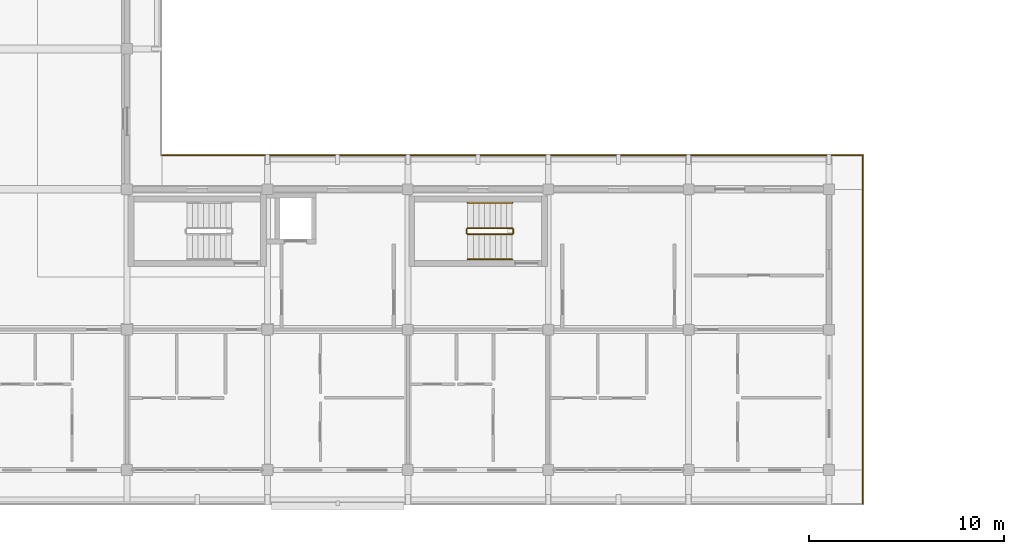
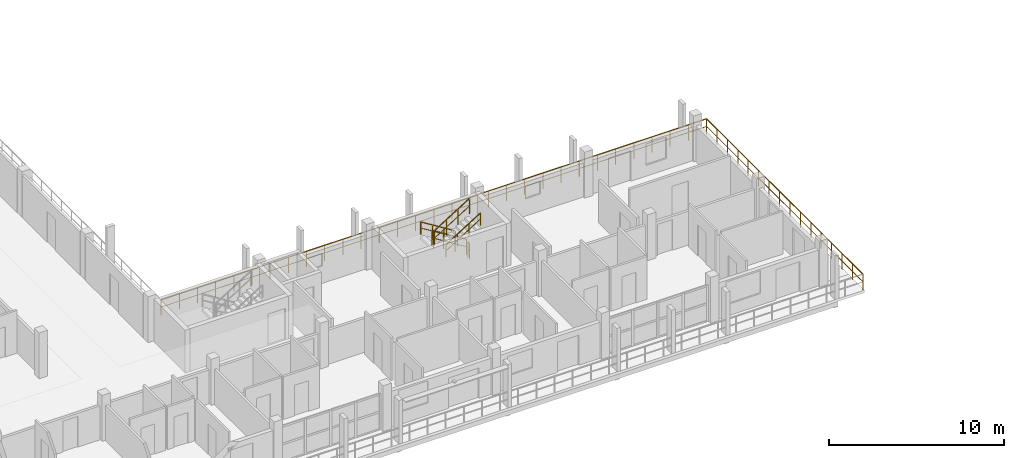
# One storey, part 61 of 73: 8 railings.
"""IFC4 building model written with IfcOpenShell, lengths in metres."""

from ifc_helpers import new_model, si_unit, direction, frame, origin, origin_2d, place, context, subcontext, project, spatial, rectangle, extrude, material, type_object, element, save


model = new_model("IFC4")

# Units and contexts
model_context = context("Model", 3, precision=1e-05, world=origin(), true_north=direction((0.0, 1.0)))
body_context = subcontext(model_context, "Body", "Model", "MODEL_VIEW")
ifc_project = project(units=[si_unit("LENGTHUNIT", "METRE"), si_unit("AREAUNIT", "SQUARE_METRE"), si_unit("VOLUMEUNIT", "CUBIC_METRE"), si_unit("PLANEANGLEUNIT", "RADIAN"), si_unit("MASSUNIT", "GRAM", prefix="KILO")], contexts=[model_context])

# Site, building, storey
site_placement = place(None, origin())
site = spatial("IfcSite", under=ifc_project, at=site_placement, CompositionType="ELEMENT")
building_placement = place(site_placement, origin())
building = spatial("IfcBuilding", under=site, at=building_placement, Name="Suanplinth Sawtooth Commons", CompositionType="ELEMENT")
storey_placement = place(building_placement, frame((0.0, 0.0, 21.89990234375)))
storey = spatial("IfcBuildingStorey", under=building, at=storey_placement, Name="L06", CompositionType="ELEMENT", Elevation=21.89990234375)

# Railings
ifc_material_1 = material(Name="Powder-coated galvanized steel", Category="steel")
railing_type_1 = type_object("IfcRailingType", Name="GR-01", PredefinedType="BALUSTRADE", material=ifc_material_1)
railing_1_placement = place(storey_placement, frame((16.139892578125, 16.139892578125, 0.0)))
element("IfcRailing", 1, at=railing_1_placement, inside=storey, type_object=railing_type_1, Name="L06 Block D Perimeter Balustrade 4", PredefinedType="BALUSTRADE", context=body_context, shape_type="SweptSolid", body=[
    extrude(rectangle(XDim=0.048095703125, YDim=0.048095703125, at=origin_2d()), frame((0.0, 0.0, 1.09619140625), z_axis=(1.0, 0.0, 0.0), x_axis=(0.0, 1.0, 0.0)), (0.0, 0.0, 1.0), 36.0),
    extrude(rectangle(XDim=0.03369140625, YDim=0.03369140625, at=origin_2d()), frame((0.0, 0.0, 0.56005859375), z_axis=(1.0, 0.0, 0.0), x_axis=(0.0, 1.0, 0.0)), (0.0, 0.0, 1.0), 36.0),
    extrude(rectangle(XDim=0.0419921875, YDim=0.0419921875, at=origin_2d()), origin(), (0.0, 0.0, 1.0), 1.072021484375),
    extrude(rectangle(XDim=0.0419921875, YDim=0.0419921875, at=origin_2d()), frame((1.199951171875, 0.0, 0.0)), (0.0, 0.0, 1.0), 1.072021484375),
    extrude(rectangle(XDim=0.0419921875, YDim=0.0419921875, at=origin_2d()), frame((2.39990234375, 0.0, 0.0)), (0.0, 0.0, 1.0), 1.072021484375),
    extrude(rectangle(XDim=0.0419921875, YDim=0.0419921875, at=origin_2d()), frame((3.60009765625, 0.0, 0.0)), (0.0, 0.0, 1.0), 1.072021484375),
    extrude(rectangle(XDim=0.0419921875, YDim=0.0419921875, at=origin_2d()), frame((4.800048828125, 0.0, 0.0)), (0.0, 0.0, 1.0), 1.072021484375),
    extrude(rectangle(XDim=0.0419921875, YDim=0.0419921875, at=origin_2d()), frame((6.0, 0.0, 0.0)), (0.0, 0.0, 1.0), 1.072021484375),
    extrude(rectangle(XDim=0.0419921875, YDim=0.0419921875, at=origin_2d()), frame((7.199951171875, 0.0, 0.0)), (0.0, 0.0, 1.0), 1.072021484375),
    extrude(rectangle(XDim=0.0419921875, YDim=0.0419921875, at=origin_2d()), frame((8.39990234375, 0.0, 0.0)), (0.0, 0.0, 1.0), 1.072021484375),
    extrude(rectangle(XDim=0.0419921875, YDim=0.0419921875, at=origin_2d()), frame((9.60009765625, 0.0, 0.0)), (0.0, 0.0, 1.0), 1.072021484375),
    extrude(rectangle(XDim=0.0419921875, YDim=0.0419921875, at=origin_2d()), frame((10.800048828125, 0.0, 0.0)), (0.0, 0.0, 1.0), 1.072021484375),
    extrude(rectangle(XDim=0.0419921875, YDim=0.0419921875, at=origin_2d()), frame((12.0, 0.0, 0.0)), (0.0, 0.0, 1.0), 1.072021484375),
    extrude(rectangle(XDim=0.0419921875, YDim=0.0419921875, at=origin_2d()), frame((13.199951171875, 0.0, 0.0)), (0.0, 0.0, 1.0), 1.072021484375),
    extrude(rectangle(XDim=0.0419921875, YDim=0.0419921875, at=origin_2d()), frame((14.39990234375, 0.0, 0.0)), (0.0, 0.0, 1.0), 1.072021484375),
    extrude(rectangle(XDim=0.0419921875, YDim=0.0419921875, at=origin_2d()), frame((15.60009765625, 0.0, 0.0)), (0.0, 0.0, 1.0), 1.072021484375),
    extrude(rectangle(XDim=0.0419921875, YDim=0.0419921875, at=origin_2d()), frame((16.800048828125, 0.0, 0.0)), (0.0, 0.0, 1.0), 1.072021484375),
    extrude(rectangle(XDim=0.0419921875, YDim=0.0419921875, at=origin_2d()), frame((18.0, 0.0, 0.0)), (0.0, 0.0, 1.0), 1.072021484375),
    extrude(rectangle(XDim=0.0419921875, YDim=0.0419921875, at=origin_2d()), frame((19.199951171875, 0.0, 0.0)), (0.0, 0.0, 1.0), 1.072021484375),
    extrude(rectangle(XDim=0.0419921875, YDim=0.0419921875, at=origin_2d()), frame((20.39990234375, 0.0, 0.0)), (0.0, 0.0, 1.0), 1.072021484375),
    extrude(rectangle(XDim=0.0419921875, YDim=0.0419921875, at=origin_2d()), frame((21.60009765625, 0.0, 0.0)), (0.0, 0.0, 1.0), 1.072021484375),
    extrude(rectangle(XDim=0.0419921875, YDim=0.0419921875, at=origin_2d()), frame((22.800048828125, 0.0, 0.0)), (0.0, 0.0, 1.0), 1.072021484375),
    extrude(rectangle(XDim=0.0419921875, YDim=0.0419921875, at=origin_2d()), frame((24.0, 0.0, 0.0)), (0.0, 0.0, 1.0), 1.072021484375),
    extrude(rectangle(XDim=0.0419921875, YDim=0.0419921875, at=origin_2d()), frame((25.199951171875, 0.0, 0.0)), (0.0, 0.0, 1.0), 1.072021484375),
    extrude(rectangle(XDim=0.0419921875, YDim=0.0419921875, at=origin_2d()), frame((26.39990234375, 0.0, 0.0)), (0.0, 0.0, 1.0), 1.072021484375),
    extrude(rectangle(XDim=0.0419921875, YDim=0.0419921875, at=origin_2d()), frame((27.60009765625, 0.0, 0.0)), (0.0, 0.0, 1.0), 1.072021484375),
    extrude(rectangle(XDim=0.0419921875, YDim=0.0419921875, at=origin_2d()), frame((28.800048828125, 0.0, 0.0)), (0.0, 0.0, 1.0), 1.072021484375),
    extrude(rectangle(XDim=0.0419921875, YDim=0.0419921875, at=origin_2d()), frame((30.0, 0.0, 0.0)), (0.0, 0.0, 1.0), 1.072021484375),
    extrude(rectangle(XDim=0.0419921875, YDim=0.0419921875, at=origin_2d()), frame((31.199951171875, 0.0, 0.0)), (0.0, 0.0, 1.0), 1.072021484375),
    extrude(rectangle(XDim=0.0419921875, YDim=0.0419921875, at=origin_2d()), frame((32.39990234375, 0.0, 0.0)), (0.0, 0.0, 1.0), 1.072021484375),
    extrude(rectangle(XDim=0.0419921875, YDim=0.0419921875, at=origin_2d()), frame((33.60009765625, 0.0, 0.0)), (0.0, 0.0, 1.0), 1.072021484375),
    extrude(rectangle(XDim=0.0419921875, YDim=0.0419921875, at=origin_2d()), frame((34.800048828125, 0.0, 0.0)), (0.0, 0.0, 1.0), 1.072021484375),
    extrude(rectangle(XDim=0.0419921875, YDim=0.0419921875, at=origin_2d()), frame((36.0, 0.0, 0.0)), (0.0, 0.0, 1.0), 1.072021484375),
])
railing_2_placement = place(storey_placement, frame((52.139892578125, 16.139892578125, 0.0)))
element("IfcRailing", 2, at=railing_2_placement, inside=storey, type_object=railing_type_1, Name="L06 Block D Perimeter Balustrade 5", PredefinedType="BALUSTRADE", context=body_context, shape_type="SweptSolid", body=[
    extrude(rectangle(XDim=0.048095703125, YDim=0.048095703125, at=origin_2d()), frame((0.0, 0.0, 1.09619140625), z_axis=(0.0, -1.0, 0.0), x_axis=(1.0, 0.0, 0.0)), (0.0, 0.0, 1.0), 17.8798828125),
    extrude(rectangle(XDim=0.03369140625, YDim=0.03369140625, at=origin_2d()), frame((0.0, 0.0, 0.56005859375), z_axis=(0.0, -1.0, 0.0), x_axis=(1.0, 0.0, 0.0)), (0.0, 0.0, 1.0), 17.8798828125),
    extrude(rectangle(XDim=0.0419921875, YDim=0.0419921875, at=origin_2d()), origin(), (0.0, 0.0, 1.0), 1.072021484375),
    extrude(rectangle(XDim=0.0419921875, YDim=0.0419921875, at=origin_2d()), frame((0.0, -1.19189453125, 0.0)), (0.0, 0.0, 1.0), 1.072021484375),
    extrude(rectangle(XDim=0.0419921875, YDim=0.0419921875, at=origin_2d()), frame((0.0, -2.384033203125, 0.0)), (0.0, 0.0, 1.0), 1.072021484375),
    extrude(rectangle(XDim=0.0419921875, YDim=0.0419921875, at=origin_2d()), frame((0.0, -3.575927734375, 0.0)), (0.0, 0.0, 1.0), 1.072021484375),
    extrude(rectangle(XDim=0.0419921875, YDim=0.0419921875, at=origin_2d()), frame((0.0, -4.76806640625, 0.0)), (0.0, 0.0, 1.0), 1.072021484375),
    extrude(rectangle(XDim=0.0419921875, YDim=0.0419921875, at=origin_2d()), frame((0.0, -5.9599609375, 0.0)), (0.0, 0.0, 1.0), 1.072021484375),
    extrude(rectangle(XDim=0.0419921875, YDim=0.0419921875, at=origin_2d()), frame((0.0, -7.15185546875, 0.0)), (0.0, 0.0, 1.0), 1.072021484375),
    extrude(rectangle(XDim=0.0419921875, YDim=0.0419921875, at=origin_2d()), frame((0.0, -8.343994140625, 0.0)), (0.0, 0.0, 1.0), 1.072021484375),
    extrude(rectangle(XDim=0.0419921875, YDim=0.0419921875, at=origin_2d()), frame((0.0, -9.535888671875, 0.0)), (0.0, 0.0, 1.0), 1.072021484375),
    extrude(rectangle(XDim=0.0419921875, YDim=0.0419921875, at=origin_2d()), frame((0.0, -10.72802734375, 0.0)), (0.0, 0.0, 1.0), 1.072021484375),
    extrude(rectangle(XDim=0.0419921875, YDim=0.0419921875, at=origin_2d()), frame((0.0, -11.919921875, 0.0)), (0.0, 0.0, 1.0), 1.072021484375),
    extrude(rectangle(XDim=0.0419921875, YDim=0.0419921875, at=origin_2d()), frame((0.0, -13.11181640625, 0.0)), (0.0, 0.0, 1.0), 1.072021484375),
    extrude(rectangle(XDim=0.0419921875, YDim=0.0419921875, at=origin_2d()), frame((0.0, -14.303955078125, 0.0)), (0.0, 0.0, 1.0), 1.072021484375),
    extrude(rectangle(XDim=0.0419921875, YDim=0.0419921875, at=origin_2d()), frame((0.0, -15.495849609375, 0.0)), (0.0, 0.0, 1.0), 1.072021484375),
    extrude(rectangle(XDim=0.0419921875, YDim=0.0419921875, at=origin_2d()), frame((0.0, -16.68798828125, 0.0)), (0.0, 0.0, 1.0), 1.072021484375),
    extrude(rectangle(XDim=0.0419921875, YDim=0.0419921875, at=origin_2d()), frame((0.0, -17.8798828125, 0.0)), (0.0, 0.0, 1.0), 1.072021484375),
])
ifc_material_2 = material(Name="Stainless steel Grade 304", Category="steel")
railing_type_2 = type_object("IfcRailingType", Name="GR-04", PredefinedType="GUARDRAIL", material=ifc_material_2)
railing_3_placement = place(storey_placement, frame((34.14990234375, 12.39990234375, 0.177978515625)))
element("IfcRailing", 3, at=railing_3_placement, inside=storey, type_object=railing_type_2, Name="L06 ST-W2 Guard 1", PredefinedType="GUARDRAIL", context=body_context, shape_type="SweptSolid", body=[
    extrude(rectangle(XDim=0.048095703125, YDim=0.048095703125, at=origin_2d()), frame((0.0, 0.0, 1.076171875), z_axis=(-0.848457393559, 0.0, 0.529263687886), x_axis=(0.0, -1.0, 0.0)), (0.0, 0.0, 1.0), 2.68701171875),
    extrude(rectangle(XDim=0.03369140625, YDim=0.03369140625, at=origin_2d()), frame((0.0, 0.0, 0.550048828125), z_axis=(-0.848457393559, 0.0, 0.529263687886), x_axis=(0.0, -1.0, 0.0)), (0.0, 0.0, 1.0), 2.68701171875),
    extrude(rectangle(XDim=0.0419921875, YDim=0.0419921875, at=origin_2d()), origin(), (0.0, 0.0, 1.0), 1.052001953125),
    extrude(rectangle(XDim=0.0419921875, YDim=0.0419921875, at=origin_2d()), frame((-0.760009765625, 0.0, 0.47412109375)), (0.0, 0.0, 1.0), 1.052001953125),
    extrude(rectangle(XDim=0.0419921875, YDim=0.0419921875, at=origin_2d()), frame((-1.519775390625, 0.0, 0.947998046875)), (0.0, 0.0, 1.0), 1.052001953125),
    extrude(rectangle(XDim=0.0419921875, YDim=0.0419921875, at=origin_2d()), frame((-2.27978515625, 0.0, 1.422119140625)), (0.0, 0.0, 1.0), 1.052001953125),
])
railing_4_placement = place(storey_placement, frame((31.820068359375, 12.35009765625, 1.60009765625)))
element("IfcRailing", 4, at=railing_4_placement, inside=storey, type_object=railing_type_2, Name="L06 ST-W2 Guard 2", PredefinedType="GUARDRAIL", context=body_context, shape_type="SweptSolid", body=[
    extrude(rectangle(XDim=0.048095703125, YDim=0.048095703125, at=origin_2d()), frame((0.0, 0.0, 1.076171875), z_axis=(0.0, -1.0, 0.0), x_axis=(1.0, 0.0, 0.0)), (0.0, 0.0, 1.0), 0.2001953125),
    extrude(rectangle(XDim=0.03369140625, YDim=0.03369140625, at=origin_2d()), frame((0.0, 0.0, 0.550048828125), z_axis=(0.0, -1.0, 0.0), x_axis=(1.0, 0.0, 0.0)), (0.0, 0.0, 1.0), 0.2001953125),
    extrude(rectangle(XDim=0.0419921875, YDim=0.0419921875, at=origin_2d()), origin(), (0.0, 0.0, 1.0), 1.052001953125),
    extrude(rectangle(XDim=0.0419921875, YDim=0.0419921875, at=origin_2d()), frame((0.0, -0.2001953125, 0.0)), (0.0, 0.0, 1.0), 1.052001953125),
])
railing_5_placement = place(storey_placement, frame((31.8701171875, 12.10009765625, 1.77783203125)))
element("IfcRailing", 5, at=railing_5_placement, inside=storey, type_object=railing_type_2, Name="L06 ST-W2 Guard 3", PredefinedType="GUARDRAIL", context=body_context, shape_type="SweptSolid", body=[
    extrude(rectangle(XDim=0.048095703125, YDim=0.048095703125, at=origin_2d()), frame((0.0, 0.0, 1.076171875), z_axis=(0.848416591296, 0.0, 0.529329091978), x_axis=(0.0, 1.0, 0.0)), (0.0, 0.0, 1.0), 2.68701171875),
    extrude(rectangle(XDim=0.03369140625, YDim=0.03369140625, at=origin_2d()), frame((0.0, 0.0, 0.550048828125), z_axis=(0.848416591296, 0.0, 0.529329091978), x_axis=(0.0, 1.0, 0.0)), (0.0, 0.0, 1.0), 2.68701171875),
    extrude(rectangle(XDim=0.0419921875, YDim=0.0419921875, at=origin_2d()), origin(), (0.0, 0.0, 1.0), 1.052001953125),
    extrude(rectangle(XDim=0.0419921875, YDim=0.0419921875, at=origin_2d()), frame((0.760009765625, 0.0, 0.47412109375)), (0.0, 0.0, 1.0), 1.052001953125),
    extrude(rectangle(XDim=0.0419921875, YDim=0.0419921875, at=origin_2d()), frame((1.519775390625, 0.0, 0.9482421875)), (0.0, 0.0, 1.0), 1.052001953125),
    extrude(rectangle(XDim=0.0419921875, YDim=0.0419921875, at=origin_2d()), frame((2.27978515625, 0.0, 1.42236328125)), (0.0, 0.0, 1.0), 1.052001953125),
])
railing_6_placement = place(storey_placement, frame((34.199951171875, 12.35009765625, 0.0)))
element("IfcRailing", 6, at=railing_6_placement, inside=storey, type_object=railing_type_2, Name="L06 ST-W2 Guard 4", PredefinedType="GUARDRAIL", context=body_context, shape_type="SweptSolid", body=[
    extrude(rectangle(XDim=0.048095703125, YDim=0.048095703125, at=origin_2d()), frame((0.0, 0.0, 1.076171875), z_axis=(0.0, -1.0, 0.0), x_axis=(1.0, 0.0, 0.0)), (0.0, 0.0, 1.0), 0.2001953125),
    extrude(rectangle(XDim=0.03369140625, YDim=0.03369140625, at=origin_2d()), frame((0.0, 0.0, 0.550048828125), z_axis=(0.0, -1.0, 0.0), x_axis=(1.0, 0.0, 0.0)), (0.0, 0.0, 1.0), 0.2001953125),
    extrude(rectangle(XDim=0.0419921875, YDim=0.0419921875, at=origin_2d()), origin(), (0.0, 0.0, 1.0), 1.052001953125),
    extrude(rectangle(XDim=0.0419921875, YDim=0.0419921875, at=origin_2d()), frame((0.0, -0.2001953125, 0.0)), (0.0, 0.0, 1.0), 1.052001953125),
])
railing_type_3 = type_object("IfcRailingType", Name="HR-01", PredefinedType="HANDRAIL", material=ifc_material_2)
railing_7_placement = place(storey_placement, frame((34.14990234375, 13.699951171875, 0.177978515625)))
element("IfcRailing", 7, at=railing_7_placement, inside=storey, type_object=railing_type_3, Name="L06 ST-W2 Handrail 1", PredefinedType="HANDRAIL", context=body_context, shape_type="SweptSolid", body=[
    extrude(rectangle(XDim=0.048095703125, YDim=0.048095703125, at=origin_2d()), frame((0.0, 0.0, 0.8759765625), z_axis=(-0.848457393559, 0.0, 0.529263687886), x_axis=(0.0, -1.0, 0.0)), (0.0, 0.0, 1.0), 2.68701171875),
    extrude(rectangle(XDim=0.03369140625, YDim=0.03369140625, at=origin_2d()), frame((0.0, 0.0, 0.449951171875), z_axis=(-0.848457393559, 0.0, 0.529263687886), x_axis=(0.0, -1.0, 0.0)), (0.0, 0.0, 1.0), 2.68701171875),
    extrude(rectangle(XDim=0.0419921875, YDim=0.0419921875, at=origin_2d()), origin(), (0.0, 0.0, 1.0), 0.851806640625),
    extrude(rectangle(XDim=0.0419921875, YDim=0.0419921875, at=origin_2d()), frame((-0.760009765625, 0.0, 0.47412109375)), (0.0, 0.0, 1.0), 0.851806640625),
    extrude(rectangle(XDim=0.0419921875, YDim=0.0419921875, at=origin_2d()), frame((-1.519775390625, 0.0, 0.947998046875)), (0.0, 0.0, 1.0), 0.851806640625),
    extrude(rectangle(XDim=0.0419921875, YDim=0.0419921875, at=origin_2d()), frame((-2.27978515625, 0.0, 1.422119140625)), (0.0, 0.0, 1.0), 0.851806640625),
])
railing_8_placement = place(storey_placement, frame((31.8701171875, 10.800048828125, 1.77783203125)))
element("IfcRailing", 8, at=railing_8_placement, inside=storey, type_object=railing_type_3, Name="L06 ST-W2 Handrail 2", PredefinedType="HANDRAIL", context=body_context, shape_type="SweptSolid", body=[
    extrude(rectangle(XDim=0.048095703125, YDim=0.048095703125, at=origin_2d()), frame((0.0, 0.0, 0.8759765625), z_axis=(0.848416591296, 0.0, 0.529329091978), x_axis=(0.0, 1.0, 0.0)), (0.0, 0.0, 1.0), 2.68701171875),
    extrude(rectangle(XDim=0.03369140625, YDim=0.03369140625, at=origin_2d()), frame((0.0, 0.0, 0.449951171875), z_axis=(0.848416591296, 0.0, 0.529329091978), x_axis=(0.0, 1.0, 0.0)), (0.0, 0.0, 1.0), 2.68701171875),
    extrude(rectangle(XDim=0.0419921875, YDim=0.0419921875, at=origin_2d()), origin(), (0.0, 0.0, 1.0), 0.851806640625),
    extrude(rectangle(XDim=0.0419921875, YDim=0.0419921875, at=origin_2d()), frame((0.760009765625, 0.0, 0.47412109375)), (0.0, 0.0, 1.0), 0.851806640625),
    extrude(rectangle(XDim=0.0419921875, YDim=0.0419921875, at=origin_2d()), frame((1.519775390625, 0.0, 0.9482421875)), (0.0, 0.0, 1.0), 0.851806640625),
    extrude(rectangle(XDim=0.0419921875, YDim=0.0419921875, at=origin_2d()), frame((2.27978515625, 0.0, 1.42236328125)), (0.0, 0.0, 1.0), 0.851806640625),
])

save(model, "model.ifc")
